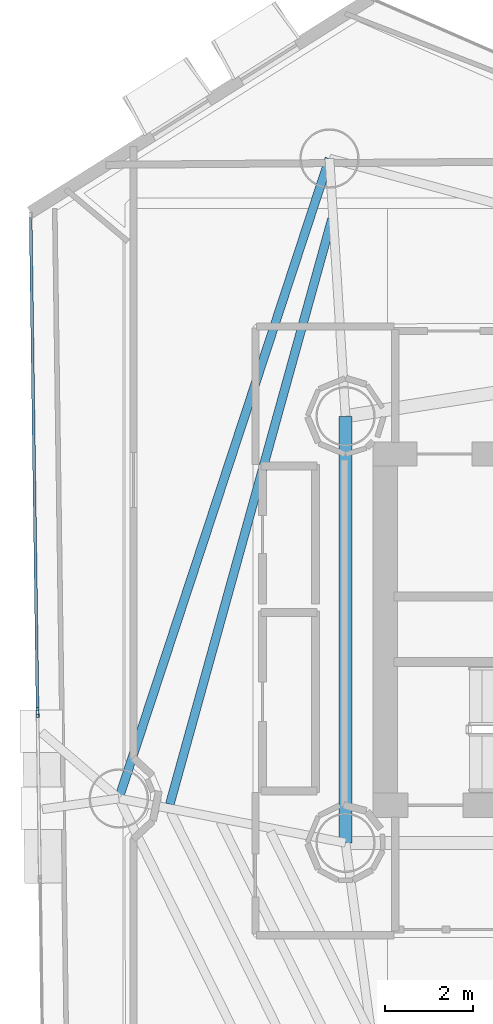
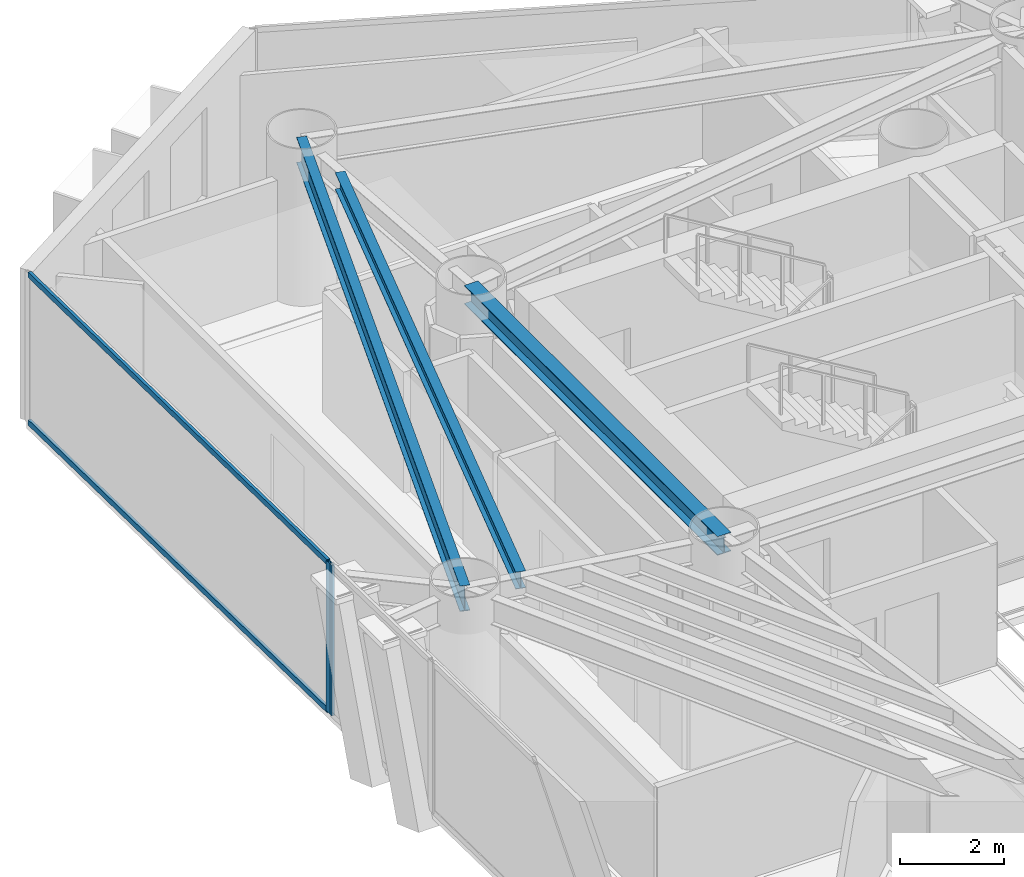
# One storey, part 8 of 20: 4 members, 3 beams, 2 elements without a shape of their own.
"""IFC4 building model written with IfcOpenShell, lengths in metres."""

from ifc_helpers import new_model, si_unit, direction, frame, origin, origin_2d, place, context, subcontext, project, spatial, hollow_rectangle, i_section, extrude, material, layer, layer_set, material_profile, profile_set, type_object, element, aggregate, save


model = new_model("IFC4")

# Units and contexts
model_context = context("Model", 3, precision=1e-05, world=origin(), true_north=direction((0.0, 1.0)))
body_context = subcontext(model_context, "Body", "Model", "MODEL_VIEW")
ifc_project = project(units=[si_unit("LENGTHUNIT", "METRE"), si_unit("AREAUNIT", "SQUARE_METRE"), si_unit("VOLUMEUNIT", "CUBIC_METRE"), si_unit("PLANEANGLEUNIT", "RADIAN"), si_unit("MASSUNIT", "GRAM", prefix="KILO")], contexts=[model_context])

# Site, building, storey
site_placement = place(None, origin())
site = spatial("IfcSite", under=ifc_project, at=site_placement, CompositionType="ELEMENT")
building_placement = place(site_placement, origin())
building = spatial("IfcBuilding", under=site, at=building_placement, Name="Qianvela Tower", CompositionType="ELEMENT")
storey_placement = place(building_placement, frame((0.0, 0.0, 151.300048828125)))
storey = spatial("IfcBuildingStorey", under=building, at=storey_placement, Name="L38", CompositionType="ELEMENT", Elevation=151.300048828125)

# Beams
ifc_material_1 = material(Name="Steel Q355B", Category="steel")
ifc_material_profile_1 = material_profile(ifc_material_1, i_section(OverallWidth=0.300048828125, OverallDepth=0.43994140625, WebThickness=0.010986328125, FlangeThickness=0.01806640625, at=origin_2d()), Name="HM440x300x11x18")
ifc_profile_set_1 = profile_set([ifc_material_profile_1], Name="Steel Q355B")
beam_type_1 = type_object("IfcBeamType", Name="BM-HM440-COLL", PredefinedType="BEAM", material=ifc_profile_set_1)
beam_1_placement = place(storey_placement, frame((28.60009765625, 33.550048828125, 3.2978515625), z_axis=(0.0, -1.0, 0.0), x_axis=(1.0, 0.0, 0.0)))
element("IfcBeam", 1, at=beam_1_placement, inside=storey, type_object=beam_type_1, Name="L38 Core Ring Collector Girder CC2", PredefinedType="BEAM", context=body_context, shape_type="SweptSolid", body=[
    extrude(i_section(OverallWidth=0.300048828125, OverallDepth=0.43994140625, WebThickness=0.010986328125, FlangeThickness=0.01806640625, at=origin_2d()), origin(), (0.0, 0.0, 1.0), 9.699951171875),
])
ifc_material_2 = material(Name="Steel Q355B", Category="steel")
ifc_material_profile_2 = material_profile(ifc_material_2, i_section(OverallWidth=0.199951171875, OverallDepth=0.39990234375, WebThickness=0.008056640625, FlangeThickness=0.012939453125, at=origin_2d()), Name="HN400x200x8x13")
ifc_profile_set_2 = profile_set([ifc_material_profile_2], Name="Steel Q355B")
beam_type_2 = type_object("IfcBeamType", Name="BM-HN400-JOIST", PredefinedType="JOIST", material=ifc_profile_set_2)
beam_2_placement = place(storey_placement, frame((28.289794921875, 38.029052734375, 3.31787109375), z_axis=(-0.266971346744, -0.963704467157, 0.0), x_axis=(0.963704467157, -0.266971346744, 0.0)))
element("IfcBeam", 2, at=beam_2_placement, inside=storey, type_object=beam_type_2, Name="L38 Secondary Composite Floor Joist 3.3", PredefinedType="JOIST", context=body_context, shape_type="SweptSolid", body=[
    extrude(i_section(OverallWidth=0.199951171875, OverallDepth=0.39990234375, WebThickness=0.008056640625, FlangeThickness=0.012939453125, at=origin_2d()), origin(), (0.0, 0.0, 1.0), 13.800537109375),
])
ifc_material_3 = material(Name="Steel Q355B", Category="steel")
ifc_material_profile_3 = material_profile(ifc_material_3, i_section(OverallWidth=0.199951171875, OverallDepth=0.60009765625, WebThickness=0.010986328125, FlangeThickness=0.01708984375, at=origin_2d()), Name="HN600x200x11x17")
ifc_profile_set_3 = profile_set([ifc_material_profile_3], Name="Steel Q355B")
beam_type_3 = type_object("IfcBeamType", Name="BM-HN600-GIRD", PredefinedType="BEAM", material=ifc_profile_set_3)
beam_3_placement = place(storey_placement, frame((28.235107421875, 39.410888671875, 3.218017578125), z_axis=(-0.312606332657, -0.949882772126, 0.0), x_axis=(0.949882772126, -0.312606332657, 0.0)))
element("IfcBeam", 3, at=beam_3_placement, inside=storey, type_object=beam_type_3, Name="L38 Perimeter Ring Spandrel Girder 3", PredefinedType="BEAM", context=body_context, shape_type="SweptSolid", body=[
    extrude(i_section(OverallWidth=0.199951171875, OverallDepth=0.60009765625, WebThickness=0.010986328125, FlangeThickness=0.01708984375, at=origin_2d()), origin(), (0.0, 0.0, 1.0), 15.31982421875),
])

# Curtain wall, member
ifc_material_4 = material(Name="Anodised Architectural Aluminium and Insulated Spandrel Panel", Category="aluminium")
ifc_layer_1 = layer(ifc_material_4, 0.179931640625)
ifc_layer_set_1 = layer_set([ifc_layer_1], Name="Anodised Architectural Aluminium and Insulated Spandrel Panel")
curtain_wall_type_1 = type_object("IfcCurtainWallType", Name="CW-BRACEBAY", PredefinedType="USERDEFINED", material=ifc_layer_set_1)
curtain_wall_1_placement = place(storey_placement, origin())
curtain_wall_1 = element("IfcCurtainWall", 4, at=curtain_wall_1_placement, inside=storey, type_object=curtain_wall_type_1, Name="L38 CW-BRACEBAY Curtain Wall 04B", ObjectType="CURTAIN_WALL_SYSTEM", PredefinedType="USERDEFINED")
ifc_material_5 = material(Name="Anodised Architectural Aluminium 6063-T6", Category="aluminium")
ifc_material_profile_4 = material_profile(ifc_material_5, hollow_rectangle(XDim=0.06494140625, YDim=0.159912109375, WallThickness=0.0048828125, at=origin_2d()), Name="ALU-MULL-65x160")
ifc_profile_set_4 = profile_set([ifc_material_profile_4], Name="Anodised Architectural Aluminium 6063-T6")
member_type_1 = type_object("IfcMemberType", Name="CW-BRACEBAY-MULL", PredefinedType="MULLION", material=ifc_profile_set_4)
member_1_placement = place(storey_placement, frame((21.59814453125, 26.78662109375, 0.0), z_axis=(0.0, 0.0, 1.0), x_axis=(0.999902432051, 0.013968764388, 0.0)))
member_1 = element("IfcMember", 5, at=member_1_placement, type_object=member_type_1, Name="CW-9 mullion 1", PredefinedType="MULLION", context=body_context, shape_type="SweptSolid", body=[
    extrude(hollow_rectangle(XDim=0.06494140625, YDim=0.159912109375, WallThickness=0.0048828125, at=origin_2d()), origin(), (0.0, 0.0, 1.0), 3.52001953125),
])
aggregate(curtain_wall_1, [member_1])

# Curtain wall, members
ifc_material_6 = material(Name="Anodised Architectural Aluminium and Low-E Glass", Category="aluminium")
ifc_layer_2 = layer(ifc_material_6, 0.169921875)
ifc_layer_set_2 = layer_set([ifc_layer_2], Name="Anodised Architectural Aluminium and Low-E Glass")
curtain_wall_type_2 = type_object("IfcCurtainWallType", Name="CW-COLIV-Z34", PredefinedType="USERDEFINED", material=ifc_layer_set_2)
curtain_wall_2_placement = place(storey_placement, origin())
curtain_wall_2 = element("IfcCurtainWall", 6, at=curtain_wall_2_placement, inside=storey, type_object=curtain_wall_type_2, Name="L38 CW-COLIV-Z34 Curtain Wall 04A", ObjectType="CURTAIN_WALL_SYSTEM", PredefinedType="USERDEFINED")
ifc_material_7 = material(Name="Anodised Architectural Aluminium 6063-T6", Category="aluminium")
ifc_material_profile_5 = material_profile(ifc_material_7, hollow_rectangle(XDim=0.06494140625, YDim=0.159912109375, WallThickness=0.0048828125, at=origin_2d()), Name="ALU-MULL-65x160")
ifc_profile_set_5 = profile_set([ifc_material_profile_5], Name="Anodised Architectural Aluminium 6063-T6")
member_type_2 = type_object("IfcMemberType", Name="CW-COLIV-Z34-MULL", PredefinedType="MULLION", material=ifc_profile_set_5)
member_2_placement = place(storey_placement, frame((21.59716796875, 26.8515625, 0.0), z_axis=(0.0, 0.0, 1.0), x_axis=(0.999902588043, 0.013957593834, 0.0)))
member_2 = element("IfcMember", 7, at=member_2_placement, type_object=member_type_2, Name="CW-4 mullion 2", PredefinedType="MULLION", context=body_context, shape_type="SweptSolid", body=[
    extrude(hollow_rectangle(XDim=0.06494140625, YDim=0.159912109375, WallThickness=0.0048828125, at=origin_2d()), origin(), (0.0, 0.0, 1.0), 3.52001953125),
])
ifc_material_8 = material(Name="Anodised Architectural Aluminium 6063-T6", Category="aluminium")
ifc_material_profile_6 = material_profile(ifc_material_8, hollow_rectangle(XDim=0.06494140625, YDim=0.1298828125, WallThickness=0.00439453125, at=origin_2d()), Name="ALU-TRAN-65x130")
ifc_profile_set_6 = profile_set([ifc_material_profile_6], Name="Anodised Architectural Aluminium 6063-T6")
member_type_3 = type_object("IfcMemberType", Name="CW-COLIV-Z34-TRAN", PredefinedType="USERDEFINED", material=ifc_profile_set_6)
member_3_placement = place(storey_placement, frame((21.440673828125, 38.072998046875, 0.032470703125), z_axis=(0.013941477142, -0.999902812885, 0.0), x_axis=(0.999902812885, 0.013941477142, 0.0)))
member_3 = element("IfcMember", 8, at=member_3_placement, type_object=member_type_3, Name="CW-4 transom 1.1", ObjectType="TRANSOM", PredefinedType="USERDEFINED", context=body_context, shape_type="SweptSolid", body=[
    extrude(hollow_rectangle(XDim=0.06494140625, YDim=0.1298828125, WallThickness=0.00439453125, at=origin_2d()), origin(), (0.0, 0.0, 1.0), 11.18994140625),
])
member_4_placement = place(storey_placement, frame((21.440673828125, 38.072998046875, 3.487548828125), z_axis=(0.013941477142, -0.999902812885, 0.0), x_axis=(0.999902812885, 0.013941477142, 0.0)))
member_4 = element("IfcMember", 9, at=member_4_placement, type_object=member_type_3, Name="CW-4 transom 1.2", ObjectType="TRANSOM", PredefinedType="USERDEFINED", context=body_context, shape_type="SweptSolid", body=[
    extrude(hollow_rectangle(XDim=0.06494140625, YDim=0.1298828125, WallThickness=0.00439453125, at=origin_2d()), origin(), (0.0, 0.0, 1.0), 11.18994140625),
])
aggregate(curtain_wall_2, [member_2, member_3, member_4])

save(model, "model.ifc")
